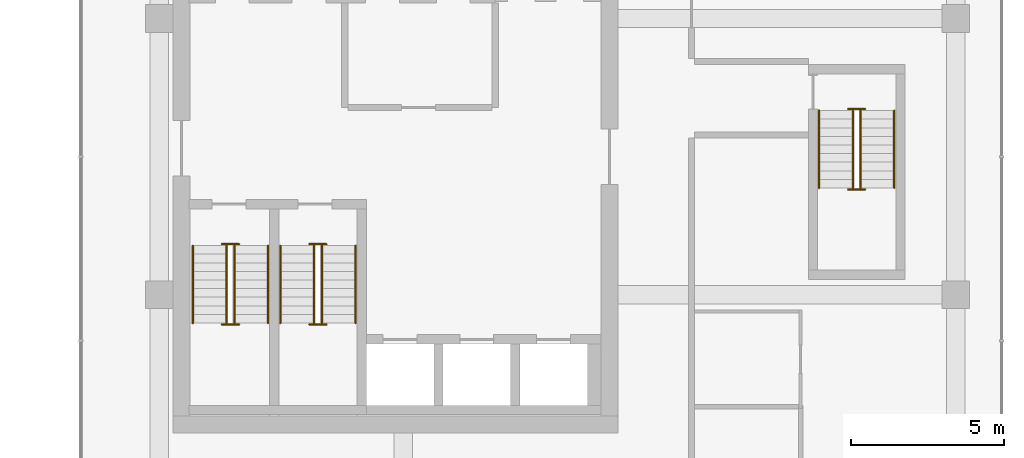
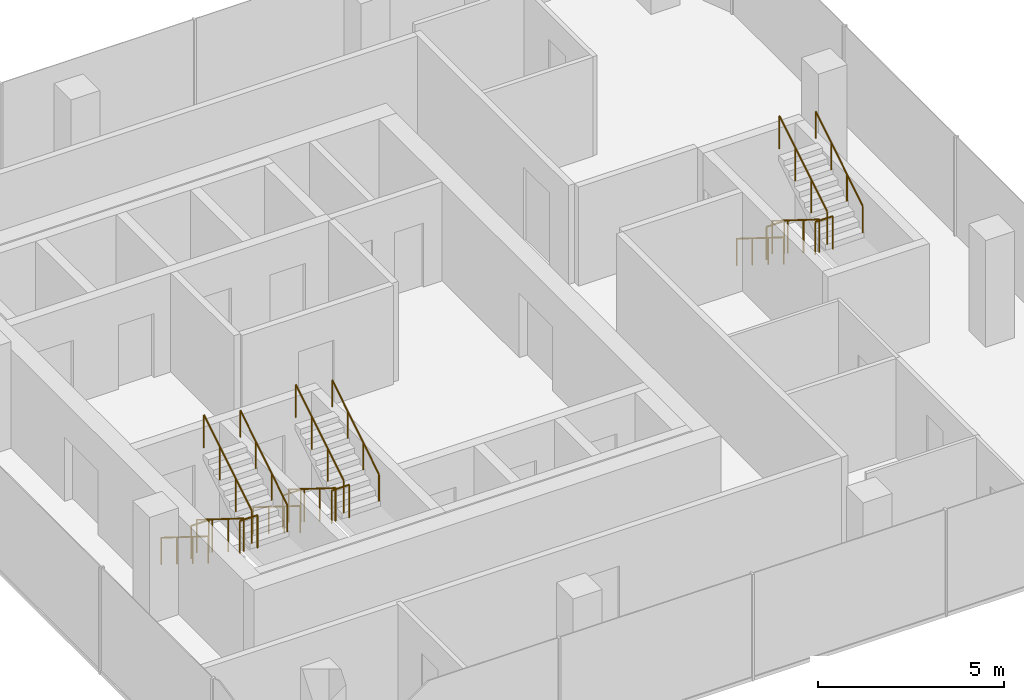
# One storey, part 23 of 23: 18 railings.
"""IFC4 building model written with IfcOpenShell, lengths in metres."""

from ifc_helpers import new_model, si_unit, direction, frame, origin, origin_2d, place, context, subcontext, project, spatial, circle, extrude, material, type_object, element, save


model = new_model("IFC4")

# Units and contexts
model_context = context("Model", 3, precision=1e-05, world=origin(), true_north=direction((0.0, 1.0)))
body_context = subcontext(model_context, "Body", "Model", "MODEL_VIEW")
ifc_project = project(units=[si_unit("LENGTHUNIT", "METRE"), si_unit("AREAUNIT", "SQUARE_METRE"), si_unit("VOLUMEUNIT", "CUBIC_METRE"), si_unit("PLANEANGLEUNIT", "RADIAN"), si_unit("MASSUNIT", "GRAM", prefix="KILO")], contexts=[model_context])

# Site, building, storey
site_placement = place(None, origin())
site = spatial("IfcSite", under=ifc_project, at=site_placement, CompositionType="ELEMENT")
building_placement = place(site_placement, origin())
building = spatial("IfcBuilding", under=site, at=building_placement, Name="Plateau Cross Towers", CompositionType="ELEMENT")
storey_placement = place(building_placement, frame((0.0, 0.0, 37.300048828125)))
storey = spatial("IfcBuildingStorey", under=building, at=storey_placement, Name="L08", CompositionType="ELEMENT", Elevation=37.300048828125)

# Railings
ifc_material_1 = material(Name="Stainless steel and toughened glass", Category="steel")
railing_type_1 = type_object("IfcRailingType", Name="RL-GUARD-1100", PredefinedType="GUARDRAIL", material=ifc_material_1)
railing_1_placement = place(storey_placement, frame((76.75, 6.10009765625, 0.175048828125)))
element("IfcRailing", 1, at=railing_1_placement, inside=storey, type_object=railing_type_1, Name="L08 SB-1 stair guard 1", PredefinedType="GUARDRAIL", context=body_context, shape_type="SweptSolid", body=[
    extrude(circle(Radius=0.02392578125, at=origin_2d()), frame((0.0, 0.0, 1.076171875), z_axis=(0.0, -0.848007534815, 0.529984170421), x_axis=(1.0, 0.0, 0.0)), (0.0, 0.0, 1.0), 2.9716796875),
    extrude(circle(Radius=0.02099609375, at=origin_2d()), origin(), (0.0, 0.0, 1.0), 1.052001953125),
    extrude(circle(Radius=0.02099609375, at=origin_2d()), frame((0.0, -0.840087890625, 0.52490234375)), (0.0, 0.0, 1.0), 1.052001953125),
    extrude(circle(Radius=0.02099609375, at=origin_2d()), frame((0.0, -1.679931640625, 1.050048828125)), (0.0, 0.0, 1.0), 1.052001953125),
    extrude(circle(Radius=0.02099609375, at=origin_2d()), frame((0.0, -2.52001953125, 1.574951171875)), (0.0, 0.0, 1.0), 1.052001953125),
])
railing_2_placement = place(storey_placement, frame((76.60009765625, 3.530029296875, 1.75)))
element("IfcRailing", 2, at=railing_2_placement, inside=storey, type_object=railing_type_1, Name="L08 SB-1 stair guard 2", PredefinedType="GUARDRAIL", context=body_context, shape_type="SweptSolid", body=[
    extrude(circle(Radius=0.02392578125, at=origin_2d()), frame((0.0, 0.0, 1.076171875), z_axis=(1.0, 0.0, 0.0), x_axis=(0.0, 1.0, 0.0)), (0.0, 0.0, 1.0), 0.5498046875),
    extrude(circle(Radius=0.02099609375, at=origin_2d()), origin(), (0.0, 0.0, 1.0), 1.052001953125),
    extrude(circle(Radius=0.02099609375, at=origin_2d()), frame((0.5498046875, 0.0, 0.0)), (0.0, 0.0, 1.0), 1.052001953125),
])
railing_3_placement = place(storey_placement, frame((77.0, 3.580078125, 1.925048828125)))
element("IfcRailing", 3, at=railing_3_placement, inside=storey, type_object=railing_type_1, Name="L08 SB-1 stair guard 3", PredefinedType="GUARDRAIL", context=body_context, shape_type="SweptSolid", body=[
    extrude(circle(Radius=0.02392578125, at=origin_2d()), frame((0.0, 0.0, 1.076171875), z_axis=(0.0, 0.852616386126, 0.522537365276), x_axis=(-1.0, 0.0, 0.0)), (0.0, 0.0, 1.0), 3.01416015625),
    extrude(circle(Radius=0.02099609375, at=origin_2d()), origin(), (0.0, 0.0, 1.0), 1.052001953125),
    extrude(circle(Radius=0.02099609375, at=origin_2d()), frame((0.0, 0.856689453125, 0.52490234375)), (0.0, 0.0, 1.0), 1.052001953125),
    extrude(circle(Radius=0.02099609375, at=origin_2d()), frame((0.0, 1.713134765625, 1.050048828125)), (0.0, 0.0, 1.0), 1.052001953125),
    extrude(circle(Radius=0.02099609375, at=origin_2d()), frame((0.0, 2.56982421875, 1.574951171875)), (0.0, 0.0, 1.0), 1.052001953125),
])
railing_4_placement = place(storey_placement, frame((76.60009765625, 6.14990234375, 0.0)))
element("IfcRailing", 4, at=railing_4_placement, inside=storey, type_object=railing_type_1, Name="L08 SB-1 stair guard 4", PredefinedType="GUARDRAIL", context=body_context, shape_type="SweptSolid", body=[
    extrude(circle(Radius=0.02392578125, at=origin_2d()), frame((0.0, 0.0, 1.076171875), z_axis=(1.0, 0.0, 0.0), x_axis=(0.0, 1.0, 0.0)), (0.0, 0.0, 1.0), 0.5498046875),
    extrude(circle(Radius=0.02099609375, at=origin_2d()), origin(), (0.0, 0.0, 1.0), 1.052001953125),
    extrude(circle(Radius=0.02099609375, at=origin_2d()), frame((0.5498046875, 0.0, 0.0)), (0.0, 0.0, 1.0), 1.052001953125),
])
railing_5_placement = place(storey_placement, frame((79.60009765625, 6.10009765625, 0.175048828125)))
element("IfcRailing", 5, at=railing_5_placement, inside=storey, type_object=railing_type_1, Name="L08 SB-2 stair guard 1", PredefinedType="GUARDRAIL", context=body_context, shape_type="SweptSolid", body=[
    extrude(circle(Radius=0.02392578125, at=origin_2d()), frame((0.0, 0.0, 1.076171875), z_axis=(0.0, -0.848007534815, 0.529984170421), x_axis=(1.0, 0.0, 0.0)), (0.0, 0.0, 1.0), 2.9716796875),
    extrude(circle(Radius=0.02099609375, at=origin_2d()), origin(), (0.0, 0.0, 1.0), 1.052001953125),
    extrude(circle(Radius=0.02099609375, at=origin_2d()), frame((0.0, -0.840087890625, 0.52490234375)), (0.0, 0.0, 1.0), 1.052001953125),
    extrude(circle(Radius=0.02099609375, at=origin_2d()), frame((0.0, -1.679931640625, 1.050048828125)), (0.0, 0.0, 1.0), 1.052001953125),
    extrude(circle(Radius=0.02099609375, at=origin_2d()), frame((0.0, -2.52001953125, 1.574951171875)), (0.0, 0.0, 1.0), 1.052001953125),
])
railing_6_placement = place(storey_placement, frame((79.449951171875, 3.530029296875, 1.75)))
element("IfcRailing", 6, at=railing_6_placement, inside=storey, type_object=railing_type_1, Name="L08 SB-2 stair guard 2", PredefinedType="GUARDRAIL", context=body_context, shape_type="SweptSolid", body=[
    extrude(circle(Radius=0.02392578125, at=origin_2d()), frame((0.0, 0.0, 1.076171875), z_axis=(1.0, 0.0, 0.0), x_axis=(0.0, 1.0, 0.0)), (0.0, 0.0, 1.0), 0.550048828125),
    extrude(circle(Radius=0.02099609375, at=origin_2d()), origin(), (0.0, 0.0, 1.0), 1.052001953125),
    extrude(circle(Radius=0.02099609375, at=origin_2d()), frame((0.550048828125, 0.0, 0.0)), (0.0, 0.0, 1.0), 1.052001953125),
])
railing_7_placement = place(storey_placement, frame((79.85009765625, 3.580078125, 1.925048828125)))
element("IfcRailing", 7, at=railing_7_placement, inside=storey, type_object=railing_type_1, Name="L08 SB-2 stair guard 3", PredefinedType="GUARDRAIL", context=body_context, shape_type="SweptSolid", body=[
    extrude(circle(Radius=0.02392578125, at=origin_2d()), frame((0.0, 0.0, 1.076171875), z_axis=(0.0, 0.852616386126, 0.522537365276), x_axis=(-1.0, 0.0, 0.0)), (0.0, 0.0, 1.0), 3.01416015625),
    extrude(circle(Radius=0.02099609375, at=origin_2d()), origin(), (0.0, 0.0, 1.0), 1.052001953125),
    extrude(circle(Radius=0.02099609375, at=origin_2d()), frame((0.0, 0.856689453125, 0.52490234375)), (0.0, 0.0, 1.0), 1.052001953125),
    extrude(circle(Radius=0.02099609375, at=origin_2d()), frame((0.0, 1.713134765625, 1.050048828125)), (0.0, 0.0, 1.0), 1.052001953125),
    extrude(circle(Radius=0.02099609375, at=origin_2d()), frame((0.0, 2.56982421875, 1.574951171875)), (0.0, 0.0, 1.0), 1.052001953125),
])
railing_8_placement = place(storey_placement, frame((79.449951171875, 6.14990234375, 0.0)))
element("IfcRailing", 8, at=railing_8_placement, inside=storey, type_object=railing_type_1, Name="L08 SB-2 stair guard 4", PredefinedType="GUARDRAIL", context=body_context, shape_type="SweptSolid", body=[
    extrude(circle(Radius=0.02392578125, at=origin_2d()), frame((0.0, 0.0, 1.076171875), z_axis=(1.0, 0.0, 0.0), x_axis=(0.0, 1.0, 0.0)), (0.0, 0.0, 1.0), 0.550048828125),
    extrude(circle(Radius=0.02099609375, at=origin_2d()), origin(), (0.0, 0.0, 1.0), 1.052001953125),
    extrude(circle(Radius=0.02099609375, at=origin_2d()), frame((0.550048828125, 0.0, 0.0)), (0.0, 0.0, 1.0), 1.052001953125),
])
railing_9_placement = place(storey_placement, frame((97.14990234375, 10.5, 0.175048828125)))
element("IfcRailing", 9, at=railing_9_placement, inside=storey, type_object=railing_type_1, Name="L08 SB-3 stair guard 1", PredefinedType="GUARDRAIL", context=body_context, shape_type="SweptSolid", body=[
    extrude(circle(Radius=0.02392578125, at=origin_2d()), frame((0.0, 0.0, 1.076171875), z_axis=(0.0, -0.848007534815, 0.529984170421), x_axis=(1.0, 0.0, 0.0)), (0.0, 0.0, 1.0), 2.9716796875),
    extrude(circle(Radius=0.02099609375, at=origin_2d()), origin(), (0.0, 0.0, 1.0), 1.052001953125),
    extrude(circle(Radius=0.02099609375, at=origin_2d()), frame((0.0, -0.840087890625, 0.52490234375)), (0.0, 0.0, 1.0), 1.052001953125),
    extrude(circle(Radius=0.02099609375, at=origin_2d()), frame((0.0, -1.679931640625, 1.050048828125)), (0.0, 0.0, 1.0), 1.052001953125),
    extrude(circle(Radius=0.02099609375, at=origin_2d()), frame((0.0, -2.52001953125, 1.574951171875)), (0.0, 0.0, 1.0), 1.052001953125),
])
railing_10_placement = place(storey_placement, frame((97.0, 7.929931640625, 1.75)))
element("IfcRailing", 10, at=railing_10_placement, inside=storey, type_object=railing_type_1, Name="L08 SB-3 stair guard 2", PredefinedType="GUARDRAIL", context=body_context, shape_type="SweptSolid", body=[
    extrude(circle(Radius=0.02392578125, at=origin_2d()), frame((0.0, 0.0, 1.076171875), z_axis=(1.0, 0.0, 0.0), x_axis=(0.0, 1.0, 0.0)), (0.0, 0.0, 1.0), 0.550048828125),
    extrude(circle(Radius=0.02099609375, at=origin_2d()), origin(), (0.0, 0.0, 1.0), 1.052001953125),
    extrude(circle(Radius=0.02099609375, at=origin_2d()), frame((0.550048828125, 0.0, 0.0)), (0.0, 0.0, 1.0), 1.052001953125),
])
railing_11_placement = place(storey_placement, frame((97.39990234375, 7.97998046875, 1.925048828125)))
element("IfcRailing", 11, at=railing_11_placement, inside=storey, type_object=railing_type_1, Name="L08 SB-3 stair guard 3", PredefinedType="GUARDRAIL", context=body_context, shape_type="SweptSolid", body=[
    extrude(circle(Radius=0.02392578125, at=origin_2d()), frame((0.0, 0.0, 1.076171875), z_axis=(0.0, 0.852638500773, 0.522501279423), x_axis=(-1.0, 0.0, 0.0)), (0.0, 0.0, 1.0), 3.01416015625),
    extrude(circle(Radius=0.02099609375, at=origin_2d()), origin(), (0.0, 0.0, 1.0), 1.052001953125),
    extrude(circle(Radius=0.02099609375, at=origin_2d()), frame((0.0, 0.856689453125, 0.52490234375)), (0.0, 0.0, 1.0), 1.052001953125),
    extrude(circle(Radius=0.02099609375, at=origin_2d()), frame((0.0, 1.71337890625, 1.050048828125)), (0.0, 0.0, 1.0), 1.052001953125),
    extrude(circle(Radius=0.02099609375, at=origin_2d()), frame((0.0, 2.570068359375, 1.574951171875)), (0.0, 0.0, 1.0), 1.052001953125),
])
railing_12_placement = place(storey_placement, frame((97.0, 10.550048828125, 0.0)))
element("IfcRailing", 12, at=railing_12_placement, inside=storey, type_object=railing_type_1, Name="L08 SB-3 stair guard 4", PredefinedType="GUARDRAIL", context=body_context, shape_type="SweptSolid", body=[
    extrude(circle(Radius=0.02392578125, at=origin_2d()), frame((0.0, 0.0, 1.076171875), z_axis=(1.0, 0.0, 0.0), x_axis=(0.0, 1.0, 0.0)), (0.0, 0.0, 1.0), 0.550048828125),
    extrude(circle(Radius=0.02099609375, at=origin_2d()), origin(), (0.0, 0.0, 1.0), 1.052001953125),
    extrude(circle(Radius=0.02099609375, at=origin_2d()), frame((0.550048828125, 0.0, 0.0)), (0.0, 0.0, 1.0), 1.052001953125),
])
ifc_material_2 = material(Name="Black anodised aluminium", Category="aluminium")
railing_type_2 = type_object("IfcRailingType", Name="RL-HANDRAIL-900", PredefinedType="HANDRAIL", material=ifc_material_2)
railing_13_placement = place(storey_placement, frame((75.64990234375, 6.10009765625, 0.175048828125)))
element("IfcRailing", 13, at=railing_13_placement, inside=storey, type_object=railing_type_2, Name="L08 SB-1 stair handrail 1", PredefinedType="HANDRAIL", context=body_context, shape_type="SweptSolid", body=[
    extrude(circle(Radius=0.02392578125, at=origin_2d()), frame((0.0, 0.0, 0.8759765625), z_axis=(0.0, -0.848007534815, 0.529984170421), x_axis=(1.0, 0.0, 0.0)), (0.0, 0.0, 1.0), 2.9716796875),
    extrude(circle(Radius=0.02099609375, at=origin_2d()), origin(), (0.0, 0.0, 1.0), 0.851806640625),
    extrude(circle(Radius=0.02099609375, at=origin_2d()), frame((0.0, -0.840087890625, 0.52490234375)), (0.0, 0.0, 1.0), 0.851806640625),
    extrude(circle(Radius=0.02099609375, at=origin_2d()), frame((0.0, -1.679931640625, 1.050048828125)), (0.0, 0.0, 1.0), 0.851806640625),
    extrude(circle(Radius=0.02099609375, at=origin_2d()), frame((0.0, -2.52001953125, 1.574951171875)), (0.0, 0.0, 1.0), 0.851806640625),
])
railing_14_placement = place(storey_placement, frame((78.10009765625, 3.580078125, 1.925048828125)))
element("IfcRailing", 14, at=railing_14_placement, inside=storey, type_object=railing_type_2, Name="L08 SB-1 stair handrail 2", PredefinedType="HANDRAIL", context=body_context, shape_type="SweptSolid", body=[
    extrude(circle(Radius=0.02392578125, at=origin_2d()), frame((0.0, 0.0, 0.8759765625), z_axis=(0.0, 0.848007534815, 0.529984170421), x_axis=(-1.0, 0.0, 0.0)), (0.0, 0.0, 1.0), 2.9716796875),
    extrude(circle(Radius=0.02099609375, at=origin_2d()), origin(), (0.0, 0.0, 1.0), 0.851806640625),
    extrude(circle(Radius=0.02099609375, at=origin_2d()), frame((0.0, 0.840087890625, 0.52490234375)), (0.0, 0.0, 1.0), 0.851806640625),
    extrude(circle(Radius=0.02099609375, at=origin_2d()), frame((0.0, 1.679931640625, 1.050048828125)), (0.0, 0.0, 1.0), 0.851806640625),
    extrude(circle(Radius=0.02099609375, at=origin_2d()), frame((0.0, 2.52001953125, 1.574951171875)), (0.0, 0.0, 1.0), 0.851806640625),
])
railing_15_placement = place(storey_placement, frame((78.5, 6.10009765625, 0.175048828125)))
element("IfcRailing", 15, at=railing_15_placement, inside=storey, type_object=railing_type_2, Name="L08 SB-2 stair handrail 1", PredefinedType="HANDRAIL", context=body_context, shape_type="SweptSolid", body=[
    extrude(circle(Radius=0.02392578125, at=origin_2d()), frame((0.0, 0.0, 0.8759765625), z_axis=(0.0, -0.848007534815, 0.529984170421), x_axis=(1.0, 0.0, 0.0)), (0.0, 0.0, 1.0), 2.9716796875),
    extrude(circle(Radius=0.02099609375, at=origin_2d()), origin(), (0.0, 0.0, 1.0), 0.851806640625),
    extrude(circle(Radius=0.02099609375, at=origin_2d()), frame((0.0, -0.840087890625, 0.52490234375)), (0.0, 0.0, 1.0), 0.851806640625),
    extrude(circle(Radius=0.02099609375, at=origin_2d()), frame((0.0, -1.679931640625, 1.050048828125)), (0.0, 0.0, 1.0), 0.851806640625),
    extrude(circle(Radius=0.02099609375, at=origin_2d()), frame((0.0, -2.52001953125, 1.574951171875)), (0.0, 0.0, 1.0), 0.851806640625),
])
railing_16_placement = place(storey_placement, frame((80.949951171875, 3.580078125, 1.925048828125)))
element("IfcRailing", 16, at=railing_16_placement, inside=storey, type_object=railing_type_2, Name="L08 SB-2 stair handrail 2", PredefinedType="HANDRAIL", context=body_context, shape_type="SweptSolid", body=[
    extrude(circle(Radius=0.02392578125, at=origin_2d()), frame((0.0, 0.0, 0.8759765625), z_axis=(0.0, 0.848007534815, 0.529984170421), x_axis=(-1.0, 0.0, 0.0)), (0.0, 0.0, 1.0), 2.9716796875),
    extrude(circle(Radius=0.02099609375, at=origin_2d()), origin(), (0.0, 0.0, 1.0), 0.851806640625),
    extrude(circle(Radius=0.02099609375, at=origin_2d()), frame((0.0, 0.840087890625, 0.52490234375)), (0.0, 0.0, 1.0), 0.851806640625),
    extrude(circle(Radius=0.02099609375, at=origin_2d()), frame((0.0, 1.679931640625, 1.050048828125)), (0.0, 0.0, 1.0), 0.851806640625),
    extrude(circle(Radius=0.02099609375, at=origin_2d()), frame((0.0, 2.52001953125, 1.574951171875)), (0.0, 0.0, 1.0), 0.851806640625),
])
railing_17_placement = place(storey_placement, frame((96.050048828125, 10.5, 0.175048828125)))
element("IfcRailing", 17, at=railing_17_placement, inside=storey, type_object=railing_type_2, Name="L08 SB-3 stair handrail 1", PredefinedType="HANDRAIL", context=body_context, shape_type="SweptSolid", body=[
    extrude(circle(Radius=0.02392578125, at=origin_2d()), frame((0.0, 0.0, 0.8759765625), z_axis=(0.0, -0.848007534815, 0.529984170421), x_axis=(1.0, 0.0, 0.0)), (0.0, 0.0, 1.0), 2.9716796875),
    extrude(circle(Radius=0.02099609375, at=origin_2d()), origin(), (0.0, 0.0, 1.0), 0.851806640625),
    extrude(circle(Radius=0.02099609375, at=origin_2d()), frame((0.0, -0.840087890625, 0.52490234375)), (0.0, 0.0, 1.0), 0.851806640625),
    extrude(circle(Radius=0.02099609375, at=origin_2d()), frame((0.0, -1.679931640625, 1.050048828125)), (0.0, 0.0, 1.0), 0.851806640625),
    extrude(circle(Radius=0.02099609375, at=origin_2d()), frame((0.0, -2.52001953125, 1.574951171875)), (0.0, 0.0, 1.0), 0.851806640625),
])
railing_18_placement = place(storey_placement, frame((98.5, 7.97998046875, 1.925048828125)))
element("IfcRailing", 18, at=railing_18_placement, inside=storey, type_object=railing_type_2, Name="L08 SB-3 stair handrail 2", PredefinedType="HANDRAIL", context=body_context, shape_type="SweptSolid", body=[
    extrude(circle(Radius=0.02392578125, at=origin_2d()), frame((0.0, 0.0, 0.8759765625), z_axis=(0.0, 0.848007534815, 0.529984170421), x_axis=(-1.0, 0.0, 0.0)), (0.0, 0.0, 1.0), 2.9716796875),
    extrude(circle(Radius=0.02099609375, at=origin_2d()), origin(), (0.0, 0.0, 1.0), 0.851806640625),
    extrude(circle(Radius=0.02099609375, at=origin_2d()), frame((0.0, 0.840087890625, 0.52490234375)), (0.0, 0.0, 1.0), 0.851806640625),
    extrude(circle(Radius=0.02099609375, at=origin_2d()), frame((0.0, 1.679931640625, 1.050048828125)), (0.0, 0.0, 1.0), 0.851806640625),
    extrude(circle(Radius=0.02099609375, at=origin_2d()), frame((0.0, 2.52001953125, 1.574951171875)), (0.0, 0.0, 1.0), 0.851806640625),
])

save(model, "model.ifc")
